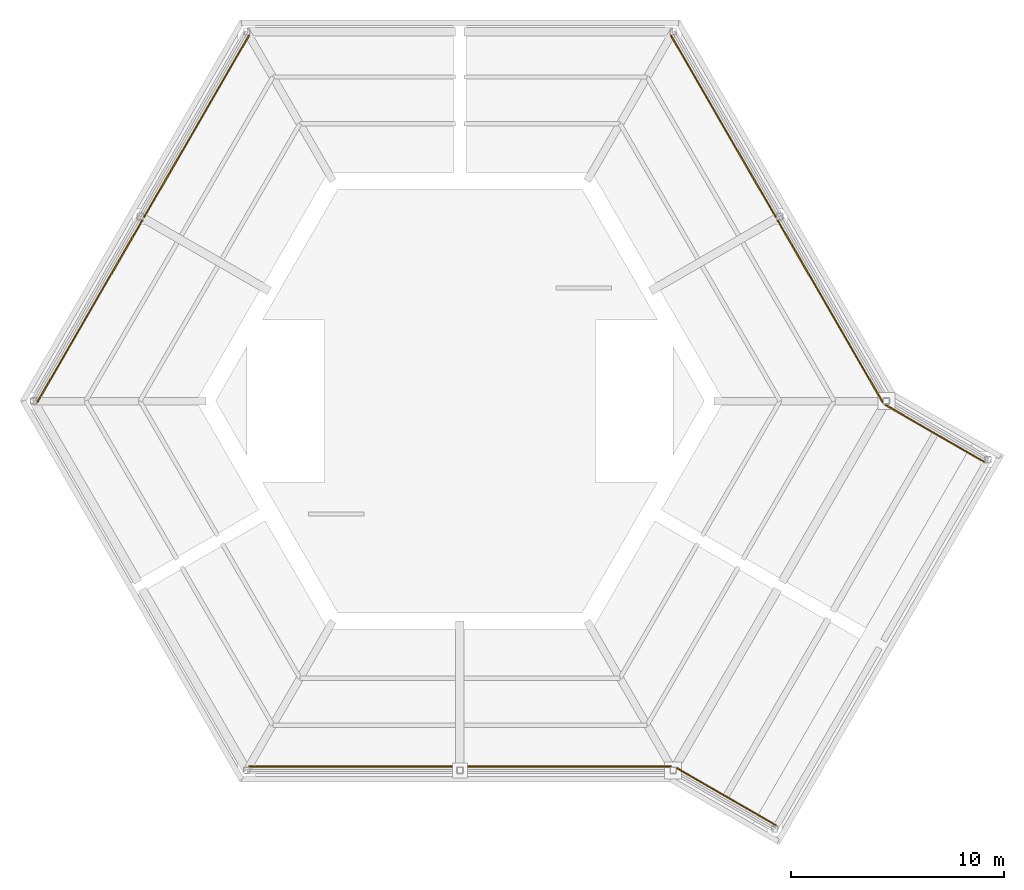
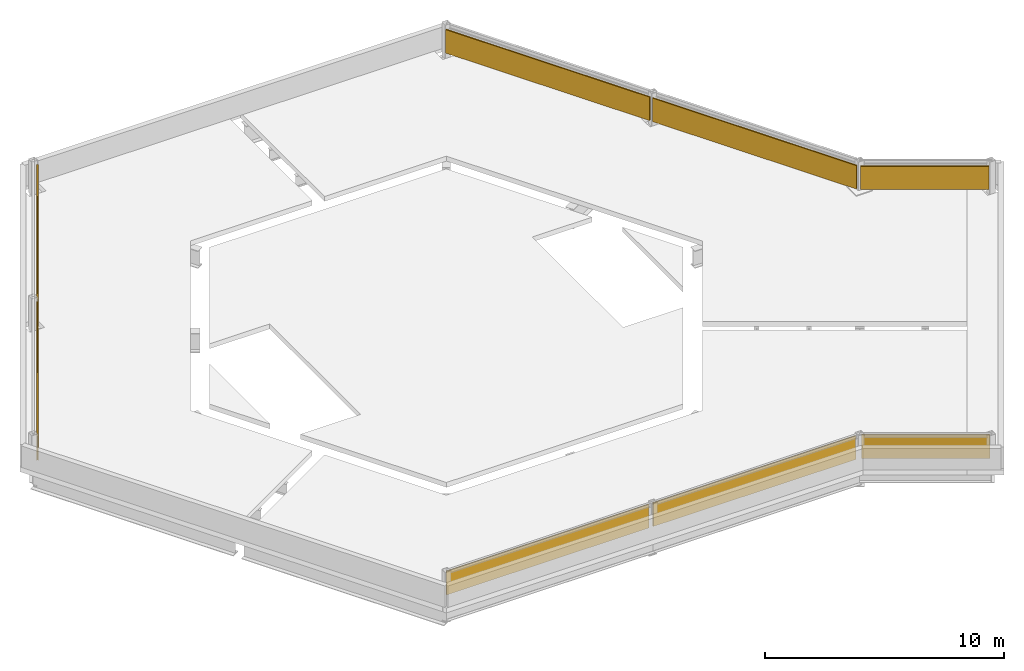
# One storey, part 6 of 6: 8 shading devices.
"""IFC4 building model written with IfcOpenShell, lengths in metres."""

from ifc_helpers import new_model, si_unit, direction, frame, origin, origin_2d, place, context, subcontext, project, spatial, rectangle, extrude, material, layer, layer_set, type_object, element, save


model = new_model("IFC4")

# Units and contexts
model_context = context("Model", 3, precision=1e-05, world=origin(), true_north=direction((0.0, 1.0)))
body_context = subcontext(model_context, "Body", "Model", "MODEL_VIEW")
ifc_project = project(units=[si_unit("LENGTHUNIT", "METRE"), si_unit("AREAUNIT", "SQUARE_METRE"), si_unit("VOLUMEUNIT", "CUBIC_METRE"), si_unit("PLANEANGLEUNIT", "RADIAN"), si_unit("MASSUNIT", "GRAM", prefix="KILO")], contexts=[model_context])

# Site, building, storey
site_placement = place(None, origin())
site = spatial("IfcSite", under=ifc_project, at=site_placement, CompositionType="ELEMENT")
building_placement = place(site_placement, origin())
building = spatial("IfcBuilding", under=site, at=building_placement, Name="Kasaneha Research Tower", CompositionType="ELEMENT")
storey_placement = place(building_placement, frame((0.0, 0.0, 307.5)))
storey = spatial("IfcBuildingStorey", under=building, at=storey_placement, Name="RF", CompositionType="ELEMENT", Elevation=307.5)

# Shading devices
ifc_material = material(Name="Terracotta", Category="masonry")
ifc_layer = layer(ifc_material, 0.06005859375)
ifc_layer_set = layer_set([ifc_layer], Name="Crown baguette screen")
shading_device_type = type_object("IfcShadingDeviceType", Name="Crown baguette screen", PredefinedType="USERDEFINED", material=ifc_layer_set)
shading_device_1_placement = place(storey_placement, frame((12.491455078125, -18.551025390625, 0.10009765625), z_axis=(0.0, 0.0, 1.0), x_axis=(-0.866025403767, 0.50000000003, 0.0)))
element("IfcShadingDevice", 1, at=shading_device_1_placement, inside=storey, type_object=shading_device_type, Name="Crown baguette screen CSP-V5", ObjectType="TERRACOTTA BAGUETTE SCREEN", PredefinedType="USERDEFINED", context=body_context, shape_type="SweptSolid", body=[
    extrude(rectangle(XDim=5.3759765625, YDim=0.06005859375, at=origin_2d()), origin(), (0.0, 0.0, 1.0), 1.199951171875),
])
for number, where, z_axis, x_axis, name in (
    (2, (5.0, -17.140625, 0.10009765625), (0.0, 0.0, 1.0), (-1.0, 0.0, 0.0), "Crown baguette screen V5-M270"),
    (3, (-5.0, -17.140625, 0.10009765625), (0.0, 0.0, 1.0), (-1.0, 0.0, 0.0), "Crown baguette screen M270-V4"),
):
    element("IfcShadingDevice", number, at=place(storey_placement, frame(where, z_axis=z_axis, x_axis=x_axis)), inside=storey, type_object=shading_device_type, Name=name, ObjectType="TERRACOTTA BAGUETTE SCREEN", PredefinedType="USERDEFINED", context=body_context, shape_type="SweptSolid", body=[
        extrude(rectangle(XDim=9.802001953125, YDim=0.06005859375, at=origin_2d()), origin(), (0.0, 0.0, 1.0), 1.199951171875),
    ])
for number, where, z_axis, x_axis, name in (
    (4, (-17.355712890625, 4.22021484375, 0.10009765625), (0.0, 0.0, 1.0), (0.5, 0.866025403784, 0.0), "Crown baguette screen V3-M150"),
    (5, (-12.355712890625, 12.88037109375, 0.10009765625), (0.0, 0.0, 1.0), (0.5, 0.866025403784, 0.0), "Crown baguette screen M150-V2"),
    (6, (12.355712890625, 12.88037109375, 0.10009765625), (0.0, 0.0, 1.0), (0.5, -0.866025403784, 0.0), "Crown baguette screen V1-M030"),
    (7, (17.355712890625, 4.22021484375, 0.10009765625), (0.0, 0.0, 1.0), (0.5, -0.866025403784, 0.0), "Crown baguette screen M030-V0"),
):
    element("IfcShadingDevice", number, at=place(storey_placement, frame(where, z_axis=z_axis, x_axis=x_axis)), inside=storey, type_object=shading_device_type, Name=name, ObjectType="TERRACOTTA BAGUETTE SCREEN", PredefinedType="USERDEFINED", context=body_context, shape_type="SweptSolid", body=[
        extrude(rectangle(XDim=9.8759765625, YDim=0.06005859375, at=origin_2d()), origin(), (0.0, 0.0, 1.0), 1.199951171875),
    ])
shading_device_2_placement = place(storey_placement, frame((22.271728515625, -1.519287109375, 0.10009765625), z_axis=(0.0, 0.0, 1.0), x_axis=(0.866025403793, -0.499999999985, 0.0)))
element("IfcShadingDevice", 8, at=shading_device_2_placement, inside=storey, type_object=shading_device_type, Name="Crown baguette screen V0-CSN", ObjectType="TERRACOTTA BAGUETTE SCREEN", PredefinedType="USERDEFINED", context=body_context, shape_type="SweptSolid", body=[
    extrude(rectangle(XDim=5.3759765625, YDim=0.06005859375, at=origin_2d()), origin(), (0.0, 0.0, 1.0), 1.199951171875),
])

save(model, "model.ifc")
